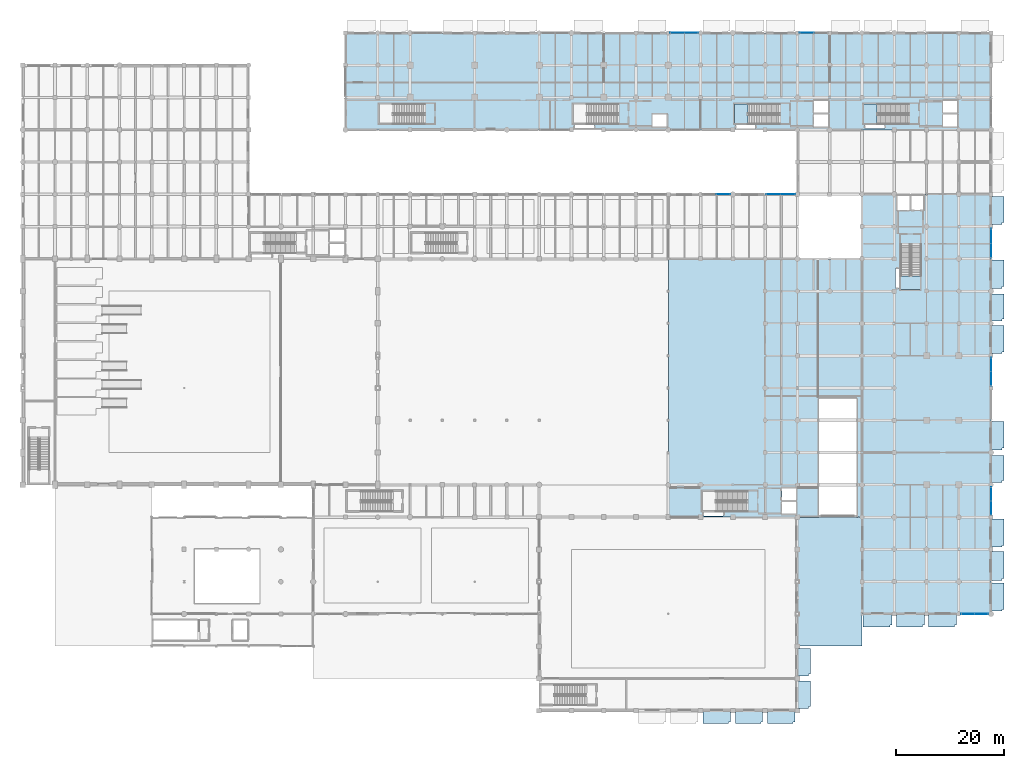
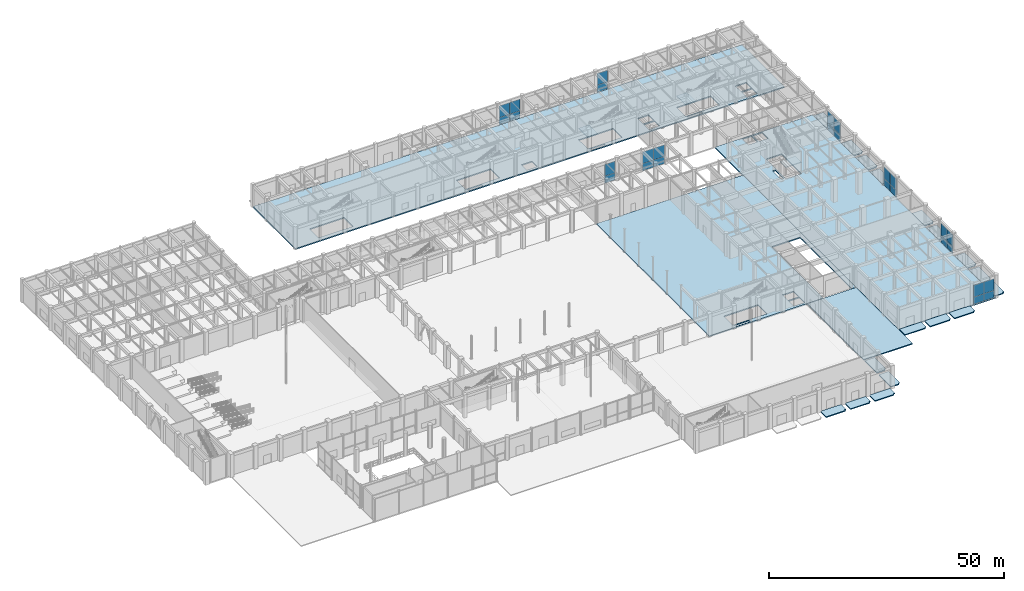
# One storey, part 74 of 106: 28 plates, 24 slabs, 11 elements without a shape of their own.
"""IFC4 building model written with IfcOpenShell, lengths in metres."""

from ifc_helpers import new_model, si_unit, direction, frame, frame_2d, origin, place, context, subcontext, project, spatial, polyline, rectangle, outline, extrude, material, layer, layer_set, type_object, element, aggregate, save


model = new_model("IFC4")

# Units and contexts
model_context = context("Model", 3, precision=1e-05, world=origin(), true_north=direction((0.0, 1.0)))
body_context = subcontext(model_context, "Body", "Model", "MODEL_VIEW")
ifc_project = project(units=[si_unit("LENGTHUNIT", "METRE"), si_unit("AREAUNIT", "SQUARE_METRE"), si_unit("VOLUMEUNIT", "CUBIC_METRE"), si_unit("PLANEANGLEUNIT", "RADIAN"), si_unit("MASSUNIT", "GRAM", prefix="KILO"), si_unit("THERMODYNAMICTEMPERATUREUNIT", "KELVIN"), si_unit("POWERUNIT", "WATT")], contexts=[model_context])

# Site, building, storey
site_placement = place(None, origin())
site = spatial("IfcSite", under=ifc_project, at=site_placement, CompositionType="ELEMENT")
building_placement = place(site_placement, origin())
building = spatial("IfcBuilding", under=site, at=building_placement, Name="Phaisarnlok Congress Hotel", CompositionType="ELEMENT")
storey_placement = place(building_placement, origin())
storey = spatial("IfcBuildingStorey", under=building, at=storey_placement, Name="L00", CompositionType="ELEMENT", Elevation=0.0)

# Curtain wall, plates
ifc_material_1 = material(Name="Thermally Broken Unitised Aluminium & Low-E Glazing", Category="aluminium")
curtain_wall_type_1 = type_object("IfcCurtainWallType", Name="CW-UNIT-01", PredefinedType="NOTDEFINED", material=ifc_material_1)
curtain_wall_1_placement = place(storey_placement, origin())
curtain_wall_1 = element("IfcCurtainWall", 1, at=curtain_wall_1_placement, inside=storey, type_object=curtain_wall_type_1, Name="Unitised curtain wall CW-01 (L00)", PredefinedType="NOTDEFINED")
ifc_material_2 = material(Name="Triple Acoustic Solar-Control Glazing", Category="glass")
ifc_layer_1 = layer(ifc_material_2, 0.035888671875, Name="Triple Acoustic Solar-Control Glazing")
ifc_layer_set_1 = layer_set([ifc_layer_1], Name="Triple Acoustic Solar-Control Glazing")
plate_type = type_object("IfcPlateType", Name="CWP-GLZ-36", PredefinedType="CURTAIN_PANEL", material=ifc_layer_set_1)
plate_1_placement = place(storey_placement, frame((174.449951171875, 18.0, 0.0400390625), z_axis=(0.0, 0.0, 1.0), x_axis=(1.0, 0.0, 0.0)))
plate_1 = element("IfcPlate", 2, at=plate_1_placement, type_object=plate_type, Name="Glazed curtain panel CWP-02", PredefinedType="CURTAIN_PANEL", context=body_context, shape_type="SweptSolid", body=[
    extrude(rectangle(XDim=2.49755859375, YDim=0.028076171875, at=frame_2d((1.248779296875, 0.0))), origin(), (0.0, 0.0, 1.0), 1.86376953125),
])
plate_2_placement = place(storey_placement, frame((174.449951171875, 18.0, 1.90380859375), z_axis=(0.0, 0.0, 1.0), x_axis=(1.0, 0.0, 0.0)))
plate_2 = element("IfcPlate", 3, at=plate_2_placement, type_object=plate_type, Name="Glazed curtain panel CWP-02", PredefinedType="CURTAIN_PANEL", context=body_context, shape_type="SweptSolid", body=[
    extrude(rectangle(XDim=2.49755859375, YDim=0.028076171875, at=frame_2d((1.248779296875, 0.0))), origin(), (0.0, 0.0, 1.0), 3.066162109375),
])
plate_3_placement = place(storey_placement, frame((176.9775390625, 18.0, 0.0400390625), z_axis=(0.0, 0.0, 1.0), x_axis=(1.0, 0.0, 0.0)))
plate_3 = element("IfcPlate", 4, at=plate_3_placement, type_object=plate_type, Name="Glazed curtain panel CWP-02", PredefinedType="CURTAIN_PANEL", context=body_context, shape_type="SweptSolid", body=[
    extrude(rectangle(XDim=2.49755859375, YDim=0.028076171875, at=frame_2d((1.248779296875, 0.0))), origin(), (0.0, 0.0, 1.0), 1.86376953125),
])
plate_4_placement = place(storey_placement, frame((176.9775390625, 18.0, 1.90380859375), z_axis=(0.0, 0.0, 1.0), x_axis=(1.0, 0.0, 0.0)))
plate_4 = element("IfcPlate", 5, at=plate_4_placement, type_object=plate_type, Name="Glazed curtain panel CWP-02", PredefinedType="CURTAIN_PANEL", context=body_context, shape_type="SweptSolid", body=[
    extrude(rectangle(XDim=2.49755859375, YDim=0.028076171875, at=frame_2d((1.248779296875, 0.0))), origin(), (0.0, 0.0, 1.0), 3.066162109375),
])
aggregate(curtain_wall_1, [plate_1, plate_2, plate_3, plate_4])

curtain_wall_type_2 = type_object("IfcCurtainWallType", Name="CW-UNIT-03", PredefinedType="NOTDEFINED", material=ifc_material_1)
curtain_wall_2_placement = place(storey_placement, origin())
curtain_wall_2 = element("IfcCurtainWall", 6, at=curtain_wall_2_placement, inside=storey, type_object=curtain_wall_type_2, Name="Unitised curtain wall CW-03 (L00)", PredefinedType="NOTDEFINED")
plate_5_placement = place(storey_placement, frame((180.0, 36.39990234375, 0.0400390625), z_axis=(0.0, 0.0, 1.0), x_axis=(0.0, 1.0, 0.0)))
plate_5 = element("IfcPlate", 7, at=plate_5_placement, type_object=plate_type, Name="Glazed curtain panel CWP-02", PredefinedType="CURTAIN_PANEL", context=body_context, shape_type="SweptSolid", body=[
    extrude(rectangle(XDim=2.56005859375, YDim=0.028076171875, at=frame_2d((1.280029296875, 0.0))), origin(), (0.0, 0.0, 1.0), 1.856201171875),
])
plate_6_placement = place(storey_placement, frame((180.0, 36.39990234375, 1.896240234375), z_axis=(0.0, 0.0, 1.0), x_axis=(0.0, 1.0, 0.0)))
plate_6 = element("IfcPlate", 8, at=plate_6_placement, type_object=plate_type, Name="Glazed curtain panel CWP-02", PredefinedType="CURTAIN_PANEL", context=body_context, shape_type="SweptSolid", body=[
    extrude(rectangle(XDim=2.56005859375, YDim=0.028076171875, at=frame_2d((1.280029296875, 0.0))), origin(), (0.0, 0.0, 1.0), 3.0537109375),
])
plate_7_placement = place(storey_placement, frame((180.0, 38.989990234375, 0.0400390625), z_axis=(0.0, 0.0, 1.0), x_axis=(0.0, 1.0, 0.0)))
plate_7 = element("IfcPlate", 9, at=plate_7_placement, type_object=plate_type, Name="Glazed curtain panel CWP-02", PredefinedType="CURTAIN_PANEL", context=body_context, shape_type="SweptSolid", body=[
    extrude(rectangle(XDim=2.56005859375, YDim=0.028076171875, at=frame_2d((1.280029296875, 0.0))), origin(), (0.0, 0.0, 1.0), 1.856201171875),
])
plate_8_placement = place(storey_placement, frame((180.0, 38.989990234375, 1.896240234375), z_axis=(0.0, 0.0, 1.0), x_axis=(0.0, 1.0, 0.0)))
plate_8 = element("IfcPlate", 10, at=plate_8_placement, type_object=plate_type, Name="Glazed curtain panel CWP-02", PredefinedType="CURTAIN_PANEL", context=body_context, shape_type="SweptSolid", body=[
    extrude(rectangle(XDim=2.56005859375, YDim=0.028076171875, at=frame_2d((1.280029296875, 0.0))), origin(), (0.0, 0.0, 1.0), 3.0537109375),
])
aggregate(curtain_wall_2, [plate_5, plate_6, plate_7, plate_8])

curtain_wall_3_placement = place(storey_placement, origin())
curtain_wall_3 = element("IfcCurtainWall", 11, at=curtain_wall_3_placement, inside=storey, type_object=curtain_wall_type_2, Name="Unitised curtain wall CW-03 (L00)", PredefinedType="NOTDEFINED")
plate_9_placement = place(storey_placement, frame((180.0, 60.425048828125, 0.0400390625), z_axis=(0.0, 0.0, 1.0), x_axis=(0.0, 1.0, 0.0)))
plate_9 = element("IfcPlate", 12, at=plate_9_placement, type_object=plate_type, Name="Glazed curtain panel CWP-02", PredefinedType="CURTAIN_PANEL", context=body_context, shape_type="SweptSolid", body=[
    extrude(rectangle(XDim=2.572509765625, YDim=0.028076171875, at=frame_2d((1.2861328125, 0.0))), origin(), (0.0, 0.0, 1.0), 1.856201171875),
])
plate_10_placement = place(storey_placement, frame((180.0, 60.425048828125, 1.896240234375), z_axis=(0.0, 0.0, 1.0), x_axis=(0.0, 1.0, 0.0)))
plate_10 = element("IfcPlate", 13, at=plate_10_placement, type_object=plate_type, Name="Glazed curtain panel CWP-02", PredefinedType="CURTAIN_PANEL", context=body_context, shape_type="SweptSolid", body=[
    extrude(rectangle(XDim=2.572509765625, YDim=0.028076171875, at=frame_2d((1.2861328125, 0.0))), origin(), (0.0, 0.0, 1.0), 3.0537109375),
])
plate_11_placement = place(storey_placement, frame((180.0, 63.027587890625, 0.0400390625), z_axis=(0.0, 0.0, 1.0), x_axis=(0.0, 1.0, 0.0)))
plate_11 = element("IfcPlate", 14, at=plate_11_placement, type_object=plate_type, Name="Glazed curtain panel CWP-02", PredefinedType="CURTAIN_PANEL", context=body_context, shape_type="SweptSolid", body=[
    extrude(rectangle(XDim=2.572509765625, YDim=0.028076171875, at=frame_2d((1.2861328125, 0.0))), origin(), (0.0, 0.0, 1.0), 1.856201171875),
])
plate_12_placement = place(storey_placement, frame((180.0, 63.027587890625, 1.896240234375), z_axis=(0.0, 0.0, 1.0), x_axis=(0.0, 1.0, 0.0)))
plate_12 = element("IfcPlate", 15, at=plate_12_placement, type_object=plate_type, Name="Glazed curtain panel CWP-02", PredefinedType="CURTAIN_PANEL", context=body_context, shape_type="SweptSolid", body=[
    extrude(rectangle(XDim=2.572509765625, YDim=0.028076171875, at=frame_2d((1.2861328125, 0.0))), origin(), (0.0, 0.0, 1.0), 3.0537109375),
])
aggregate(curtain_wall_3, [plate_9, plate_10, plate_11, plate_12])

curtain_wall_type_3 = type_object("IfcCurtainWallType", Name="CW-UNIT-04", PredefinedType="NOTDEFINED", material=ifc_material_1)
curtain_wall_4_placement = place(storey_placement, origin())
curtain_wall_4 = element("IfcCurtainWall", 16, at=curtain_wall_4_placement, inside=storey, type_object=curtain_wall_type_3, Name="Unitised curtain wall CW-04 (L00)", PredefinedType="NOTDEFINED")
plate_13_placement = place(storey_placement, frame((180.0, 84.224609375, 0.0400390625), z_axis=(0.0, 0.0, 1.0), x_axis=(0.0, 1.0, 0.0)))
plate_13 = element("IfcPlate", 17, at=plate_13_placement, type_object=plate_type, Name="Glazed curtain panel CWP-02", PredefinedType="CURTAIN_PANEL", context=body_context, shape_type="SweptSolid", body=[
    extrude(rectangle(XDim=2.66015625, YDim=0.028076171875, at=frame_2d((1.330078125, 0.0))), origin(), (0.0, 0.0, 1.0), 1.856201171875),
])
plate_14_placement = place(storey_placement, frame((180.0, 84.224609375, 1.896240234375), z_axis=(0.0, 0.0, 1.0), x_axis=(0.0, 1.0, 0.0)))
plate_14 = element("IfcPlate", 18, at=plate_14_placement, type_object=plate_type, Name="Glazed curtain panel CWP-02", PredefinedType="CURTAIN_PANEL", context=body_context, shape_type="SweptSolid", body=[
    extrude(rectangle(XDim=2.66015625, YDim=0.028076171875, at=frame_2d((1.330078125, 0.0))), origin(), (0.0, 0.0, 1.0), 3.0537109375),
])
plate_15_placement = place(storey_placement, frame((180.0, 86.914794921875, 0.0400390625), z_axis=(0.0, 0.0, 1.0), x_axis=(0.0, 1.0, 0.0)))
plate_15 = element("IfcPlate", 19, at=plate_15_placement, type_object=plate_type, Name="Glazed curtain panel CWP-02", PredefinedType="CURTAIN_PANEL", context=body_context, shape_type="SweptSolid", body=[
    extrude(rectangle(XDim=2.66015625, YDim=0.028076171875, at=frame_2d((1.330078125, 0.0))), origin(), (0.0, 0.0, 1.0), 1.856201171875),
])
plate_16_placement = place(storey_placement, frame((180.0, 86.914794921875, 1.896240234375), z_axis=(0.0, 0.0, 1.0), x_axis=(0.0, 1.0, 0.0)))
plate_16 = element("IfcPlate", 20, at=plate_16_placement, type_object=plate_type, Name="Glazed curtain panel CWP-02", PredefinedType="CURTAIN_PANEL", context=body_context, shape_type="SweptSolid", body=[
    extrude(rectangle(XDim=2.66015625, YDim=0.028076171875, at=frame_2d((1.330078125, 0.0))), origin(), (0.0, 0.0, 1.0), 3.0537109375),
])
aggregate(curtain_wall_4, [plate_13, plate_14, plate_15, plate_16])

curtain_wall_5_placement = place(storey_placement, origin())
curtain_wall_5 = element("IfcCurtainWall", 21, at=curtain_wall_5_placement, inside=storey, type_object=curtain_wall_type_2, Name="Unitised curtain wall CW-03 (L00)", PredefinedType="NOTDEFINED")
plate_17_placement = place(storey_placement, frame((146.99755859375, 126.0, 0.0400390625), z_axis=(0.0, 0.0, 1.0), x_axis=(-1.0, 0.0, 0.0)))
plate_17 = element("IfcPlate", 22, at=plate_17_placement, type_object=plate_type, Name="Glazed curtain panel CWP-02", PredefinedType="CURTAIN_PANEL", context=body_context, shape_type="SweptSolid", body=[
    extrude(rectangle(XDim=2.572509765625, YDim=0.028076171875, at=frame_2d((1.2861328125, 0.0))), origin(), (0.0, 0.0, 1.0), 1.856201171875),
])
plate_18_placement = place(storey_placement, frame((146.99755859375, 126.0, 1.896240234375), z_axis=(0.0, 0.0, 1.0), x_axis=(-1.0, 0.0, 0.0)))
plate_18 = element("IfcPlate", 23, at=plate_18_placement, type_object=plate_type, Name="Glazed curtain panel CWP-02", PredefinedType="CURTAIN_PANEL", context=body_context, shape_type="SweptSolid", body=[
    extrude(rectangle(XDim=2.572509765625, YDim=0.028076171875, at=frame_2d((1.2861328125, 0.0))), origin(), (0.0, 0.0, 1.0), 3.0537109375),
])
aggregate(curtain_wall_5, [plate_17, plate_18])

curtain_wall_6_placement = place(storey_placement, origin())
curtain_wall_6 = element("IfcCurtainWall", 24, at=curtain_wall_6_placement, inside=storey, type_object=curtain_wall_type_2, Name="Unitised curtain wall CW-03 (L00)", PredefinedType="NOTDEFINED")
plate_19_placement = place(storey_placement, frame((125.550048828125, 126.0, 0.0400390625), z_axis=(0.0, 0.0, 1.0), x_axis=(-1.0, 0.0, 0.0)))
plate_19 = element("IfcPlate", 25, at=plate_19_placement, type_object=plate_type, Name="Glazed curtain panel CWP-02", PredefinedType="CURTAIN_PANEL", context=body_context, shape_type="SweptSolid", body=[
    extrude(rectangle(XDim=2.56005859375, YDim=0.028076171875, at=frame_2d((1.280029296875, 0.0))), origin(), (0.0, 0.0, 1.0), 1.856201171875),
])
plate_20_placement = place(storey_placement, frame((125.550048828125, 126.0, 1.896240234375), z_axis=(0.0, 0.0, 1.0), x_axis=(-1.0, 0.0, 0.0)))
plate_20 = element("IfcPlate", 26, at=plate_20_placement, type_object=plate_type, Name="Glazed curtain panel CWP-02", PredefinedType="CURTAIN_PANEL", context=body_context, shape_type="SweptSolid", body=[
    extrude(rectangle(XDim=2.56005859375, YDim=0.028076171875, at=frame_2d((1.280029296875, 0.0))), origin(), (0.0, 0.0, 1.0), 3.0537109375),
])
plate_21_placement = place(storey_placement, frame((122.9599609375, 126.0, 0.0400390625), z_axis=(0.0, 0.0, 1.0), x_axis=(-1.0, 0.0, 0.0)))
plate_21 = element("IfcPlate", 27, at=plate_21_placement, type_object=plate_type, Name="Glazed curtain panel CWP-02", PredefinedType="CURTAIN_PANEL", context=body_context, shape_type="SweptSolid", body=[
    extrude(rectangle(XDim=2.56005859375, YDim=0.028076171875, at=frame_2d((1.280029296875, 0.0))), origin(), (0.0, 0.0, 1.0), 1.856201171875),
])
plate_22_placement = place(storey_placement, frame((122.9599609375, 126.0, 1.896240234375), z_axis=(0.0, 0.0, 1.0), x_axis=(-1.0, 0.0, 0.0)))
plate_22 = element("IfcPlate", 28, at=plate_22_placement, type_object=plate_type, Name="Glazed curtain panel CWP-02", PredefinedType="CURTAIN_PANEL", context=body_context, shape_type="SweptSolid", body=[
    extrude(rectangle(XDim=2.56005859375, YDim=0.028076171875, at=frame_2d((1.280029296875, 0.0))), origin(), (0.0, 0.0, 1.0), 3.0537109375),
])
aggregate(curtain_wall_6, [plate_19, plate_20, plate_21, plate_22])

curtain_wall_7_placement = place(storey_placement, origin())
curtain_wall_7 = element("IfcCurtainWall", 29, at=curtain_wall_7_placement, inside=storey, type_object=curtain_wall_type_3, Name="Unitised curtain wall CW-04 (L00)", PredefinedType="NOTDEFINED")
plate_23_placement = place(storey_placement, frame((143.574951171875, 96.0, 0.0400390625), z_axis=(0.0, 0.0, 1.0), x_axis=(-1.0, 0.0, 0.0)))
plate_23 = element("IfcPlate", 30, at=plate_23_placement, type_object=plate_type, Name="Glazed curtain panel CWP-02", PredefinedType="CURTAIN_PANEL", context=body_context, shape_type="SweptSolid", body=[
    extrude(rectangle(XDim=2.65966796875, YDim=0.028076171875, at=frame_2d((1.329833984375, 0.0))), origin(), (0.0, 0.0, 1.0), 1.856201171875),
])
plate_24_placement = place(storey_placement, frame((143.574951171875, 96.0, 1.896240234375), z_axis=(0.0, 0.0, 1.0), x_axis=(-1.0, 0.0, 0.0)))
plate_24 = element("IfcPlate", 31, at=plate_24_placement, type_object=plate_type, Name="Glazed curtain panel CWP-02", PredefinedType="CURTAIN_PANEL", context=body_context, shape_type="SweptSolid", body=[
    extrude(rectangle(XDim=2.65966796875, YDim=0.028076171875, at=frame_2d((1.329833984375, 0.0))), origin(), (0.0, 0.0, 1.0), 3.0537109375),
])
plate_25_placement = place(storey_placement, frame((140.88525390625, 96.0, 0.0400390625), z_axis=(0.0, 0.0, 1.0), x_axis=(-1.0, 0.0, 0.0)))
plate_25 = element("IfcPlate", 32, at=plate_25_placement, type_object=plate_type, Name="Glazed curtain panel CWP-02", PredefinedType="CURTAIN_PANEL", context=body_context, shape_type="SweptSolid", body=[
    extrude(rectangle(XDim=2.65966796875, YDim=0.028076171875, at=frame_2d((1.329833984375, 0.0))), origin(), (0.0, 0.0, 1.0), 1.856201171875),
])
plate_26_placement = place(storey_placement, frame((140.88525390625, 96.0, 1.896240234375), z_axis=(0.0, 0.0, 1.0), x_axis=(-1.0, 0.0, 0.0)))
plate_26 = element("IfcPlate", 33, at=plate_26_placement, type_object=plate_type, Name="Glazed curtain panel CWP-02", PredefinedType="CURTAIN_PANEL", context=body_context, shape_type="SweptSolid", body=[
    extrude(rectangle(XDim=2.65966796875, YDim=0.028076171875, at=frame_2d((1.329833984375, 0.0))), origin(), (0.0, 0.0, 1.0), 3.0537109375),
])
aggregate(curtain_wall_7, [plate_23, plate_24, plate_25, plate_26])

curtain_wall_8_placement = place(storey_placement, origin())
curtain_wall_8 = element("IfcCurtainWall", 34, at=curtain_wall_8_placement, inside=storey, type_object=curtain_wall_type_1, Name="Unitised curtain wall CW-01 (L00)", PredefinedType="NOTDEFINED")
plate_27_placement = place(storey_placement, frame((131.47509765625, 96.0, 0.0400390625), z_axis=(0.0, 0.0, 1.0), x_axis=(-1.0, 0.0, 0.0)))
plate_27 = element("IfcPlate", 35, at=plate_27_placement, type_object=plate_type, Name="Glazed curtain panel CWP-02", PredefinedType="CURTAIN_PANEL", context=body_context, shape_type="SweptSolid", body=[
    extrude(rectangle(XDim=2.49755859375, YDim=0.028076171875, at=frame_2d((1.248779296875, 0.0))), origin(), (0.0, 0.0, 1.0), 1.856201171875),
])
plate_28_placement = place(storey_placement, frame((131.47509765625, 96.0, 1.896240234375), z_axis=(0.0, 0.0, 1.0), x_axis=(-1.0, 0.0, 0.0)))
plate_28 = element("IfcPlate", 36, at=plate_28_placement, type_object=plate_type, Name="Glazed curtain panel CWP-02", PredefinedType="CURTAIN_PANEL", context=body_context, shape_type="SweptSolid", body=[
    extrude(rectangle(XDim=2.49755859375, YDim=0.028076171875, at=frame_2d((1.248779296875, 0.0))), origin(), (0.0, 0.0, 1.0), 3.0537109375),
])
aggregate(curtain_wall_8, [plate_27, plate_28])

# Slabs
ifc_material_3 = material(Name="Concrete C40/50", Category="concrete")
ifc_layer_2 = layer(ifc_material_3, 0.300048828125, Name="Concrete C40/50")
ifc_layer_set_2 = layer_set([ifc_layer_2], Name="Concrete C40/50")
slab_type_1 = type_object("IfcSlabType", Name="SLB-INT-300", PredefinedType="FLOOR", material=ifc_layer_set_2)
slab_1_placement = place(storey_placement, frame((0.0, 0.0, -0.300048828125)))
element("IfcSlab", 37, at=slab_1_placement, inside=storey, type_object=slab_type_1, Name="Floor slab SL-INT-300 (L00 v4_e)", PredefinedType="FLOOR", context=body_context, shape_type="SweptSolid", body=[
    extrude(outline(polyline([(120.0, 36.0), (120.0, 84.0), (156.0, 84.0), (156.0, 36.0), (155.0, 36.0), (155.0, 58.0), (148.0, 58.0), (148.0, 36.0), (120.0, 36.0)]), holes=[polyline([(134.719970703125, 40.800048828125), (126.300048828125, 40.800048828125), (126.300048828125, 37.0), (134.719970703125, 37.0), (134.719970703125, 40.800048828125)]), polyline([(143.75, 36.60009765625), (143.75, 38.85009765625), (141.10009765625, 38.85009765625), (141.10009765625, 36.60009765625), (143.75, 36.60009765625)]), polyline([(143.75, 39.14990234375), (143.75, 41.39990234375), (141.10009765625, 41.39990234375), (141.10009765625, 39.14990234375), (143.75, 39.14990234375)]), polyline([(130.199951171875, 36.25), (130.199951171875, 36.85009765625), (126.60009765625, 36.85009765625), (126.60009765625, 36.25), (130.199951171875, 36.25)])]), origin(), (0.0, 0.0, 1.0), 0.300048828125),
])
slab_2_placement = place(storey_placement, frame((0.0, 0.0, -0.300048828125)))
element("IfcSlab", 38, at=slab_2_placement, inside=storey, type_object=slab_type_1, Name="Floor slab SL-INT-300 (L00 v5_n)", PredefinedType="FLOOR", context=body_context, shape_type="SweptSolid", body=[
    extrude(outline(polyline([(180.0, 108.0), (180.0, 126.0), (60.0, 126.0), (60.0, 108.0), (180.0, 108.0)]), holes=[polyline([(164.719970703125, 112.800048828125), (156.300048828125, 112.800048828125), (156.300048828125, 109.0), (164.719970703125, 109.0), (164.719970703125, 112.800048828125)]), polyline([(140.719970703125, 112.800048828125), (132.300048828125, 112.800048828125), (132.300048828125, 109.0), (140.719970703125, 109.0), (140.719970703125, 112.800048828125)]), polyline([(110.719970703125, 112.800048828125), (102.300048828125, 112.800048828125), (102.300048828125, 109.0), (110.719970703125, 109.0), (110.719970703125, 112.800048828125)]), polyline([(74.719970703125, 112.800048828125), (66.300048828125, 112.800048828125), (66.300048828125, 109.0), (74.719970703125, 109.0), (74.719970703125, 112.800048828125)]), polyline([(173.75, 108.60009765625), (173.75, 110.85009765625), (171.10009765625, 110.85009765625), (171.10009765625, 108.60009765625), (173.75, 108.60009765625)]), polyline([(173.75, 111.14990234375), (173.75, 113.39990234375), (171.10009765625, 113.39990234375), (171.10009765625, 111.14990234375), (173.75, 111.14990234375)]), polyline([(160.199951171875, 108.25), (160.199951171875, 108.85009765625), (156.60009765625, 108.85009765625), (156.60009765625, 108.25), (160.199951171875, 108.25)]), polyline([(149.75, 108.60009765625), (149.75, 110.85009765625), (147.10009765625, 110.85009765625), (147.10009765625, 108.60009765625), (149.75, 108.60009765625)]), polyline([(149.75, 111.14990234375), (149.75, 113.39990234375), (147.10009765625, 113.39990234375), (147.10009765625, 111.14990234375), (149.75, 111.14990234375)]), polyline([(136.199951171875, 108.25), (136.199951171875, 108.85009765625), (132.60009765625, 108.85009765625), (132.60009765625, 108.25), (136.199951171875, 108.25)]), polyline([(119.75, 108.60009765625), (119.75, 110.85009765625), (117.10009765625, 110.85009765625), (117.10009765625, 108.60009765625), (119.75, 108.60009765625)]), polyline([(106.199951171875, 108.25), (106.199951171875, 108.85009765625), (102.60009765625, 108.85009765625), (102.60009765625, 108.25), (106.199951171875, 108.25)])]), origin(), (0.0, 0.0, 1.0), 0.300048828125),
])
slab_3_placement = place(storey_placement, frame((0.0, 0.0, -0.300048828125)))
element("IfcSlab", 39, at=slab_3_placement, inside=storey, type_object=slab_type_1, Name="Floor slab SL-INT-300 (L00 v5_e)", PredefinedType="FLOOR", context=body_context, shape_type="SweptSolid", body=[
    extrude(outline(polyline([(180.0, 18.0), (180.0, 96.0), (156.0, 96.0), (156.0, 18.0), (180.0, 18.0)]), holes=[polyline([(163.199951171875, 86.719970703125), (163.199951171875, 78.300048828125), (167.0, 78.300048828125), (167.0, 86.719970703125), (163.199951171875, 86.719970703125)]), polyline([(164.85009765625, 93.10009765625), (164.85009765625, 95.75), (162.60009765625, 95.75), (162.60009765625, 93.10009765625), (164.85009765625, 93.10009765625)]), polyline([(167.39990234375, 93.10009765625), (167.39990234375, 95.75), (165.14990234375, 95.75), (165.14990234375, 93.10009765625), (167.39990234375, 93.10009765625)]), polyline([(162.85009765625, 78.60009765625), (162.85009765625, 82.199951171875), (162.25, 82.199951171875), (162.25, 78.60009765625), (162.85009765625, 78.60009765625)])]), origin(), (0.0, 0.0, 1.0), 0.300048828125),
])

# Stair, slab
stair_type = type_object("IfcStairType", Name="STR-DOG-02", PredefinedType="HALF_TURN_STAIR", material=ifc_material_3)
stair_1_placement = place(storey_placement, origin())
stair_1 = element("IfcStair", 40, at=stair_1_placement, inside=storey, type_object=stair_type, Name="L00 ST-05", PredefinedType="HALF_TURN_STAIR")
ifc_layer_3 = layer(ifc_material_3, 0.199951171875, Name="Concrete C40/50")
ifc_layer_set_3 = layer_set([ifc_layer_3], Name="Concrete C40/50")
slab_type_2 = type_object("IfcSlabType", Name="SLB-LND-200", PredefinedType="LANDING", material=ifc_layer_set_3)
slab_4_placement = place(storey_placement, frame((0.0, 0.0, 2.800048828125)))
slab_4 = element("IfcSlab", 41, at=slab_4_placement, type_object=slab_type_2, Name="ST-05 landing 1", PredefinedType="LANDING", context=body_context, shape_type="SweptSolid", body=[
    extrude(outline(polyline([(158.830078125, 112.800048828125), (156.300048828125, 112.800048828125), (156.300048828125, 109.0), (158.830078125, 109.0), (158.830078125, 112.800048828125)])), origin(), (0.0, 0.0, 1.0), 0.199951171875),
])
aggregate(stair_1, [slab_4])

stair_2_placement = place(storey_placement, origin())
stair_2 = element("IfcStair", 42, at=stair_2_placement, inside=storey, type_object=stair_type, Name="L00 ST-06", PredefinedType="HALF_TURN_STAIR")
slab_5_placement = place(storey_placement, frame((0.0, 0.0, 2.800048828125)))
slab_5 = element("IfcSlab", 43, at=slab_5_placement, type_object=slab_type_2, Name="ST-06 landing 1", PredefinedType="LANDING", context=body_context, shape_type="SweptSolid", body=[
    extrude(outline(polyline([(134.830078125, 112.800048828125), (132.300048828125, 112.800048828125), (132.300048828125, 109.0), (134.830078125, 109.0), (134.830078125, 112.800048828125)])), origin(), (0.0, 0.0, 1.0), 0.199951171875),
])
aggregate(stair_2, [slab_5])

stair_3_placement = place(storey_placement, origin())
stair_3 = element("IfcStair", 44, at=stair_3_placement, inside=storey, type_object=stair_type, Name="L00 ST-09", PredefinedType="HALF_TURN_STAIR")
slab_6_placement = place(storey_placement, frame((0.0, 0.0, 2.800048828125)))
slab_6 = element("IfcSlab", 45, at=slab_6_placement, type_object=slab_type_2, Name="ST-09 landing 1", PredefinedType="LANDING", context=body_context, shape_type="SweptSolid", body=[
    extrude(outline(polyline([(163.199951171875, 80.830078125), (163.199951171875, 78.300048828125), (167.0, 78.300048828125), (167.0, 80.830078125), (163.199951171875, 80.830078125)])), origin(), (0.0, 0.0, 1.0), 0.199951171875),
])
aggregate(stair_3, [slab_6])

# Slabs
ifc_layer_4 = layer(ifc_material_3, 0.25, Name="Concrete C40/50")
ifc_layer_set_4 = layer_set([ifc_layer_4], Name="Concrete C40/50")
slab_type_3 = type_object("IfcSlabType", Name="SLB-PLAZA-250", PredefinedType="BASESLAB", material=ifc_layer_set_4)
slab_7_placement = place(storey_placement, frame((0.0, 0.0, -0.25)))
element("IfcSlab", 46, at=slab_7_placement, inside=storey, type_object=slab_type_3, Name="Exit discharge threshold slab (FE-06)", PredefinedType="BASESLAB", context=body_context, shape_type="SweptSolid", body=[
    extrude(outline(polyline([(126.455078125, -2.39990234375), (131.195068359375, -2.39990234375), (131.195068359375, -2.050048828125), (131.544921875, -2.050048828125), (131.544921875, 0.0), (126.455078125, 0.0), (126.455078125, -2.39990234375)])), origin(), (0.0, 0.0, 1.0), 0.25),
])
slab_8_placement = place(storey_placement, frame((0.0, 0.0, -0.25)))
element("IfcSlab", 47, at=slab_8_placement, inside=storey, type_object=slab_type_3, Name="Exit discharge threshold slab (FE-07)", PredefinedType="BASESLAB", context=body_context, shape_type="SweptSolid", body=[
    extrude(outline(polyline([(132.455078125, -2.39990234375), (137.195068359375, -2.39990234375), (137.195068359375, -2.050048828125), (137.544921875, -2.050048828125), (137.544921875, 0.0), (132.455078125, 0.0), (132.455078125, -2.39990234375)])), origin(), (0.0, 0.0, 1.0), 0.25),
])
slab_9_placement = place(storey_placement, frame((0.0, 0.0, -0.25)))
element("IfcSlab", 48, at=slab_9_placement, inside=storey, type_object=slab_type_3, Name="Exit discharge threshold slab (FE-08)", PredefinedType="BASESLAB", context=body_context, shape_type="SweptSolid", body=[
    extrude(outline(polyline([(138.455078125, -2.39990234375), (143.195068359375, -2.39990234375), (143.195068359375, -2.050048828125), (143.544921875, -2.050048828125), (143.544921875, 0.0), (138.455078125, 0.0), (138.455078125, -2.39990234375)])), origin(), (0.0, 0.0, 1.0), 0.25),
])
slab_10_placement = place(storey_placement, frame((0.0, 0.0, -0.25)))
element("IfcSlab", 49, at=slab_10_placement, inside=storey, type_object=slab_type_3, Name="Exit discharge threshold slab (FE-09)", PredefinedType="BASESLAB", context=body_context, shape_type="SweptSolid", body=[
    extrude(outline(polyline([(144.0, 0.455078125), (146.050048828125, 0.455078125), (146.050048828125, 0.804931640625), (146.39990234375, 0.804931640625), (146.39990234375, 5.544921875), (144.0, 5.544921875), (144.0, 0.455078125)])), origin(), (0.0, 0.0, 1.0), 0.25),
])
slab_11_placement = place(storey_placement, frame((0.0, 0.0, -0.25)))
element("IfcSlab", 50, at=slab_11_placement, inside=storey, type_object=slab_type_3, Name="Exit discharge threshold slab (FE-10)", PredefinedType="BASESLAB", context=body_context, shape_type="SweptSolid", body=[
    extrude(outline(polyline([(144.0, 6.455078125), (146.050048828125, 6.455078125), (146.050048828125, 6.804931640625), (146.39990234375, 6.804931640625), (146.39990234375, 11.544921875), (144.0, 11.544921875), (144.0, 6.455078125)])), origin(), (0.0, 0.0, 1.0), 0.25),
])
slab_12_placement = place(storey_placement, frame((0.0, 0.0, -0.25)))
element("IfcSlab", 51, at=slab_12_placement, inside=storey, type_object=slab_type_3, Name="Exit discharge threshold slab (FE-16)", PredefinedType="BASESLAB", context=body_context, shape_type="SweptSolid", body=[
    extrude(outline(polyline([(156.20556640625, 15.60009765625), (161.2451171875, 15.60009765625), (161.2451171875, 15.949951171875), (161.594970703125, 15.949951171875), (161.594970703125, 18.0), (156.20556640625, 18.0), (156.20556640625, 15.60009765625)])), origin(), (0.0, 0.0, 1.0), 0.25),
])
slab_13_placement = place(storey_placement, frame((0.0, 0.0, -0.25)))
element("IfcSlab", 52, at=slab_13_placement, inside=storey, type_object=slab_type_3, Name="Exit discharge threshold slab (FE-17)", PredefinedType="BASESLAB", context=body_context, shape_type="SweptSolid", body=[
    extrude(outline(polyline([(162.405029296875, 15.60009765625), (167.27001953125, 15.60009765625), (167.27001953125, 15.949951171875), (167.6201171875, 15.949951171875), (167.6201171875, 18.0), (162.405029296875, 18.0), (162.405029296875, 15.60009765625)])), origin(), (0.0, 0.0, 1.0), 0.25),
])
slab_14_placement = place(storey_placement, frame((0.0, 0.0, -0.25)))
element("IfcSlab", 53, at=slab_14_placement, inside=storey, type_object=slab_type_3, Name="Exit discharge threshold slab (FE-18)", PredefinedType="BASESLAB", context=body_context, shape_type="SweptSolid", body=[
    extrude(outline(polyline([(168.3798828125, 15.60009765625), (173.219970703125, 15.60009765625), (173.219970703125, 15.949951171875), (173.570068359375, 15.949951171875), (173.570068359375, 18.0), (168.3798828125, 18.0), (168.3798828125, 15.60009765625)])), origin(), (0.0, 0.0, 1.0), 0.25),
])
slab_15_placement = place(storey_placement, frame((0.0, 0.0, -0.25)))
element("IfcSlab", 54, at=slab_15_placement, inside=storey, type_object=slab_type_3, Name="Exit discharge threshold slab (FE-19)", PredefinedType="BASESLAB", context=body_context, shape_type="SweptSolid", body=[
    extrude(outline(polyline([(180.0, 18.5048828125), (182.050048828125, 18.5048828125), (182.050048828125, 18.85498046875), (182.39990234375, 18.85498046875), (182.39990234375, 23.79541015625), (180.0, 23.79541015625), (180.0, 18.5048828125)])), origin(), (0.0, 0.0, 1.0), 0.25),
])
slab_16_placement = place(storey_placement, frame((0.0, 0.0, -0.25)))
element("IfcSlab", 55, at=slab_16_placement, inside=storey, type_object=slab_type_3, Name="Exit discharge threshold slab (FE-20)", PredefinedType="BASESLAB", context=body_context, shape_type="SweptSolid", body=[
    extrude(outline(polyline([(180.0, 24.20458984375), (182.050048828125, 24.20458984375), (182.050048828125, 24.554443359375), (182.39990234375, 24.554443359375), (182.39990234375, 29.594970703125), (180.0, 29.594970703125), (180.0, 24.20458984375)])), origin(), (0.0, 0.0, 1.0), 0.25),
])
slab_17_placement = place(storey_placement, frame((0.0, 0.0, -0.25)))
element("IfcSlab", 56, at=slab_17_placement, inside=storey, type_object=slab_type_3, Name="Exit discharge threshold slab (FE-21)", PredefinedType="BASESLAB", context=body_context, shape_type="SweptSolid", body=[
    extrude(outline(polyline([(180.0, 30.405029296875), (182.050048828125, 30.405029296875), (182.050048828125, 30.7548828125), (182.39990234375, 30.7548828125), (182.39990234375, 35.6201171875), (180.0, 35.6201171875), (180.0, 30.405029296875)])), origin(), (0.0, 0.0, 1.0), 0.25),
])
slab_18_placement = place(storey_placement, frame((0.0, 0.0, -0.25)))
element("IfcSlab", 57, at=slab_18_placement, inside=storey, type_object=slab_type_3, Name="Exit discharge threshold slab (FE-22)", PredefinedType="BASESLAB", context=body_context, shape_type="SweptSolid", body=[
    extrude(outline(polyline([(180.0, 42.429931640625), (182.050048828125, 42.429931640625), (182.050048828125, 42.780029296875), (182.39990234375, 42.780029296875), (182.39990234375, 47.4951171875), (180.0, 47.4951171875), (180.0, 42.429931640625)])), origin(), (0.0, 0.0, 1.0), 0.25),
])
slab_19_placement = place(storey_placement, frame((0.0, 0.0, -0.25)))
element("IfcSlab", 58, at=slab_19_placement, inside=storey, type_object=slab_type_3, Name="Exit discharge threshold slab (FE-23)", PredefinedType="BASESLAB", context=body_context, shape_type="SweptSolid", body=[
    extrude(outline(polyline([(180.0, 48.5048828125), (182.050048828125, 48.5048828125), (182.050048828125, 48.85498046875), (182.39990234375, 48.85498046875), (182.39990234375, 53.79541015625), (180.0, 53.79541015625), (180.0, 48.5048828125)])), origin(), (0.0, 0.0, 1.0), 0.25),
])
slab_20_placement = place(storey_placement, frame((0.0, 0.0, -0.25)))
element("IfcSlab", 59, at=slab_20_placement, inside=storey, type_object=slab_type_3, Name="Exit discharge threshold slab (FE-24)", PredefinedType="BASESLAB", context=body_context, shape_type="SweptSolid", body=[
    extrude(outline(polyline([(180.0, 66.3798828125), (182.050048828125, 66.3798828125), (182.050048828125, 66.72998046875), (182.39990234375, 66.72998046875), (182.39990234375, 71.570068359375), (180.0, 71.570068359375), (180.0, 66.3798828125)])), origin(), (0.0, 0.0, 1.0), 0.25),
])
slab_21_placement = place(storey_placement, frame((0.0, 0.0, -0.25)))
element("IfcSlab", 60, at=slab_21_placement, inside=storey, type_object=slab_type_3, Name="Exit discharge threshold slab (FE-25)", PredefinedType="BASESLAB", context=body_context, shape_type="SweptSolid", body=[
    extrude(outline(polyline([(180.0, 72.429931640625), (182.050048828125, 72.429931640625), (182.050048828125, 72.780029296875), (182.39990234375, 72.780029296875), (182.39990234375, 77.4951171875), (180.0, 77.4951171875), (180.0, 72.429931640625)])), origin(), (0.0, 0.0, 1.0), 0.25),
])
slab_22_placement = place(storey_placement, frame((0.0, 0.0, -0.25)))
element("IfcSlab", 61, at=slab_22_placement, inside=storey, type_object=slab_type_3, Name="Exit discharge threshold slab (FE-26)", PredefinedType="BASESLAB", context=body_context, shape_type="SweptSolid", body=[
    extrude(outline(polyline([(180.0, 78.5048828125), (182.050048828125, 78.5048828125), (182.050048828125, 78.85498046875), (182.39990234375, 78.85498046875), (182.39990234375, 83.79541015625), (180.0, 83.79541015625), (180.0, 78.5048828125)])), origin(), (0.0, 0.0, 1.0), 0.25),
])
slab_23_placement = place(storey_placement, frame((0.0, 0.0, -0.25)))
element("IfcSlab", 62, at=slab_23_placement, inside=storey, type_object=slab_type_3, Name="Exit discharge threshold slab (FE-27)", PredefinedType="BASESLAB", context=body_context, shape_type="SweptSolid", body=[
    extrude(outline(polyline([(180.0, 90.405029296875), (182.050048828125, 90.405029296875), (182.050048828125, 90.7548828125), (182.39990234375, 90.7548828125), (182.39990234375, 95.6201171875), (180.0, 95.6201171875), (180.0, 90.405029296875)])), origin(), (0.0, 0.0, 1.0), 0.25),
])
slab_24_placement = place(storey_placement, frame((0.0, 0.0, -0.25)))
element("IfcSlab", 63, at=slab_24_placement, inside=storey, type_object=slab_type_3, Name="Vehicle ramp arrival apron slab (L00)", PredefinedType="BASESLAB", context=body_context, shape_type="SweptSolid", body=[
    extrude(outline(polyline([(144.0, 12.0), (156.0, 12.0), (156.0, 35.9599609375), (144.0, 35.9599609375), (144.0, 12.0)])), origin(), (0.0, 0.0, 1.0), 0.25),
])

save(model, "model.ifc")
